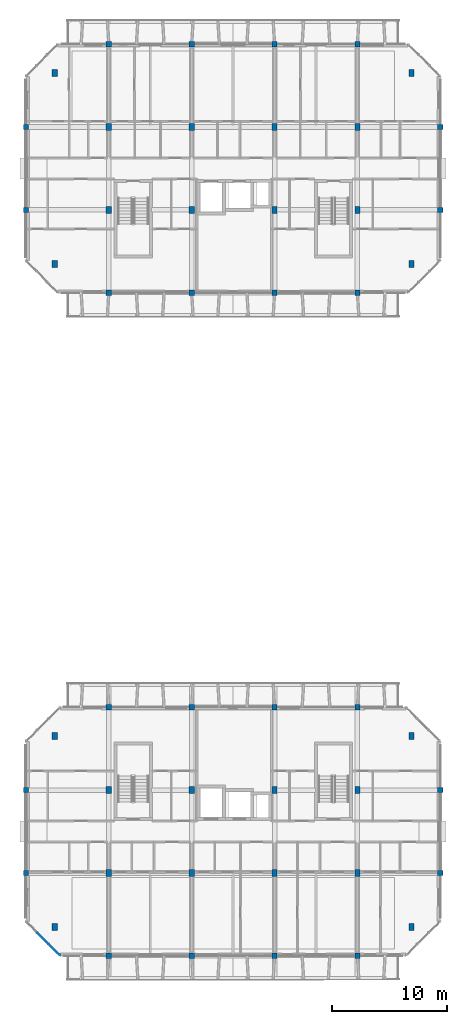
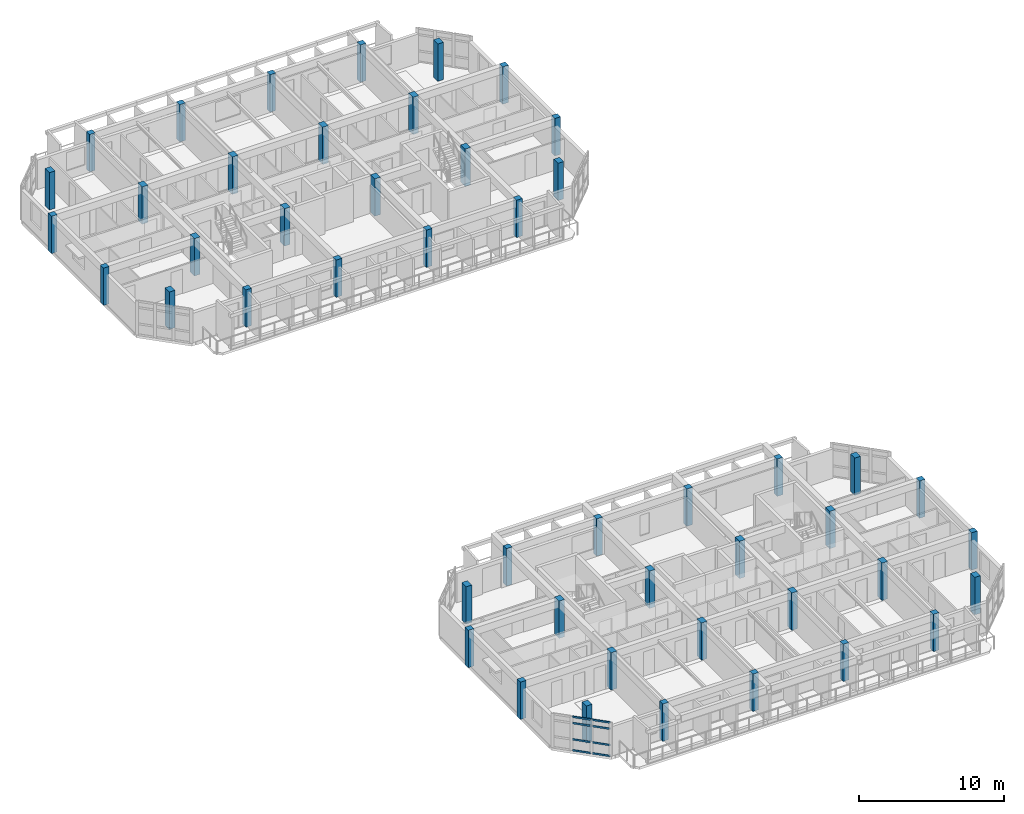
# One storey, part 1 of 22: 48 columns, 8 members, 1 element without a shape of its own.
"""IFC4 building model written with IfcOpenShell, lengths in metres."""

from ifc_helpers import new_model, si_unit, direction, frame, origin, origin_2d, place, context, subcontext, project, spatial, rectangle, extrude, material, layer, layer_set, material_profile, profile_set, type_object, element, aggregate, save


model = new_model("IFC4")

# Units and contexts
model_context = context("Model", 3, precision=1e-05, world=origin(), true_north=direction((0.0, 1.0)))
body_context = subcontext(model_context, "Body", "Model", "MODEL_VIEW")
ifc_project = project(units=[si_unit("LENGTHUNIT", "METRE"), si_unit("AREAUNIT", "SQUARE_METRE"), si_unit("VOLUMEUNIT", "CUBIC_METRE"), si_unit("PLANEANGLEUNIT", "RADIAN"), si_unit("MASSUNIT", "GRAM", prefix="KILO")], contexts=[model_context])

# Site, building, storey
site_placement = place(None, origin())
site = spatial("IfcSite", under=ifc_project, at=site_placement, CompositionType="ELEMENT")
building_placement = place(site_placement, origin())
building = spatial("IfcBuilding", under=site, at=building_placement, Name="Ochrevale Crest", CompositionType="ELEMENT")
storey_placement = place(building_placement, frame((0.0, 0.0, 40.199951171875)))
storey = spatial("IfcBuildingStorey", under=building, at=storey_placement, Name="L12", CompositionType="ELEMENT", Elevation=40.199951171875)

# Columns
ifc_material_1 = material(Name="Precast concrete C40/50", Category="concrete")
ifc_material_profile_1 = material_profile(ifc_material_1, rectangle(XDim=0.449951171875, YDim=0.449951171875, at=origin_2d()), Name="RC 450x450")
ifc_profile_set_1 = profile_set([ifc_material_profile_1], Name="Precast concrete C40/50")
column_type_1 = type_object("IfcColumnType", Name="COL-RC450x450", PredefinedType="COLUMN", material=ifc_profile_set_1)
for number, where, z_axis, x_axis, name in (
    (1, (129.60009765625, 21.60009765625, 0.0), (0.0, 0.0, 1.0), (1.0, 0.0, 0.0), "Block C L12 column (129.6,21.6)"),
    (2, (129.60009765625, 28.800048828125, 0.0), (0.0, 0.0, 1.0), (1.0, 0.0, 0.0), "Block C L12 column (129.6,28.8)"),
    (3, (136.800048828125, 14.39990234375, 0.0), (0.0, 0.0, 1.0), (1.0, 0.0, 0.0), "Block C L12 column (136.8,14.4)"),
    (4, (136.800048828125, 36.0, 0.0), (0.0, 0.0, 1.0), (1.0, 0.0, 0.0), "Block C L12 column (136.8,36.0)"),
    (5, (144.0, 14.39990234375, 0.0), (0.0, 0.0, 1.0), (1.0, 0.0, 0.0), "Block C L12 column (144.0,14.4)"),
    (6, (144.0, 36.0, 0.0), (0.0, 0.0, 1.0), (1.0, 0.0, 0.0), "Block C L12 column (144.0,36.0)"),
    (7, (151.199951171875, 14.39990234375, 0.0), (0.0, 0.0, 1.0), (1.0, 0.0, 0.0), "Block C L12 column (151.2,14.4)"),
    (8, (151.199951171875, 36.0, 0.0), (0.0, 0.0, 1.0), (1.0, 0.0, 0.0), "Block C L12 column (151.2,36.0)"),
    (9, (158.39990234375, 14.39990234375, 0.0), (0.0, 0.0, 1.0), (1.0, 0.0, 0.0), "Block C L12 column (158.4,14.4)"),
    (10, (158.39990234375, 36.0, 0.0), (0.0, 0.0, 1.0), (1.0, 0.0, 0.0), "Block C L12 column (158.4,36.0)"),
    (11, (165.60009765625, 21.60009765625, 0.0), (0.0, 0.0, 1.0), (1.0, 0.0, 0.0), "Block C L12 column (165.6,21.6)"),
    (12, (165.60009765625, 28.800048828125, 0.0), (0.0, 0.0, 1.0), (1.0, 0.0, 0.0), "Block C L12 column (165.6,28.8)"),
    (13, (129.60009765625, 79.199951171875, 0.0), (0.0, 0.0, 1.0), (1.0, 0.0, 0.0), "Block D L12 column (129.6,79.2)"),
    (14, (129.60009765625, 86.39990234375, 0.0), (0.0, 0.0, 1.0), (1.0, 0.0, 0.0), "Block D L12 column (129.6,86.4)"),
    (15, (136.800048828125, 72.0, 0.0), (0.0, 0.0, 1.0), (1.0, 0.0, 0.0), "Block D L12 column (136.8,72.0)"),
    (16, (136.800048828125, 93.60009765625, 0.0), (0.0, 0.0, 1.0), (1.0, 0.0, 0.0), "Block D L12 column (136.8,93.6)"),
    (17, (144.0, 72.0, 0.0), (0.0, 0.0, 1.0), (1.0, 0.0, 0.0), "Block D L12 column (144.0,72.0)"),
    (18, (144.0, 93.60009765625, 0.0), (0.0, 0.0, 1.0), (1.0, 0.0, 0.0), "Block D L12 column (144.0,93.6)"),
    (19, (151.199951171875, 72.0, 0.0), (0.0, 0.0, 1.0), (1.0, 0.0, 0.0), "Block D L12 column (151.2,72.0)"),
    (20, (151.199951171875, 93.60009765625, 0.0), (0.0, 0.0, 1.0), (1.0, 0.0, 0.0), "Block D L12 column (151.2,93.6)"),
    (21, (158.39990234375, 72.0, 0.0), (0.0, 0.0, 1.0), (1.0, 0.0, 0.0), "Block D L12 column (158.4,72.0)"),
    (22, (158.39990234375, 93.60009765625, 0.0), (0.0, 0.0, 1.0), (1.0, 0.0, 0.0), "Block D L12 column (158.4,93.6)"),
    (23, (165.60009765625, 79.199951171875, 0.0), (0.0, 0.0, 1.0), (1.0, 0.0, 0.0), "Block D L12 column (165.6,79.2)"),
    (24, (165.60009765625, 86.39990234375, 0.0), (0.0, 0.0, 1.0), (1.0, 0.0, 0.0), "Block D L12 column (165.6,86.4)"),
):
    element("IfcColumn", number, at=place(storey_placement, frame(where, z_axis=z_axis, x_axis=x_axis)), inside=storey, type_object=column_type_1, Name=name, PredefinedType="COLUMN", context=body_context, shape_type="SweptSolid", body=[
        extrude(rectangle(XDim=0.449951171875, YDim=0.449951171875, at=origin_2d()), origin(), (0.0, 0.0, 1.0), 3.150146484375),
    ])
ifc_material_2 = material(Name="Precast concrete C50/60", Category="concrete")
ifc_material_profile_2 = material_profile(ifc_material_2, rectangle(XDim=0.449951171875, YDim=0.60009765625, at=origin_2d()), Name="RC 450x600")
ifc_profile_set_2 = profile_set([ifc_material_profile_2], Name="Precast concrete C50/60")
column_type_2 = type_object("IfcColumnType", Name="COL-RC450x600", PredefinedType="COLUMN", material=ifc_profile_set_2)
for number, where, z_axis, x_axis, name in (
    (25, (132.10009765625, 16.89990234375, 0.0), (0.0, 0.0, 1.0), (1.0, 0.0, 0.0), "Block C L12 column (132.1,16.9)"),
    (26, (132.10009765625, 33.5, 0.0), (0.0, 0.0, 1.0), (1.0, 0.0, 0.0), "Block C L12 column (132.1,33.5)"),
    (27, (136.800048828125, 21.60009765625, 0.0), (0.0, 0.0, 1.0), (1.0, 0.0, 0.0), "Block C L12 column (136.8,21.6)"),
    (28, (136.800048828125, 28.800048828125, 0.0), (0.0, 0.0, 1.0), (1.0, 0.0, 0.0), "Block C L12 column (136.8,28.8)"),
    (29, (144.0, 21.60009765625, 0.0), (0.0, 0.0, 1.0), (1.0, 0.0, 0.0), "Block C L12 column (144.0,21.6)"),
    (30, (144.0, 28.800048828125, 0.0), (0.0, 0.0, 1.0), (1.0, 0.0, 0.0), "Block C L12 column (144.0,28.8)"),
    (31, (151.199951171875, 21.60009765625, 0.0), (0.0, 0.0, 1.0), (1.0, 0.0, 0.0), "Block C L12 column (151.2,21.6)"),
    (32, (151.199951171875, 28.800048828125, 0.0), (0.0, 0.0, 1.0), (1.0, 0.0, 0.0), "Block C L12 column (151.2,28.8)"),
    (33, (158.39990234375, 21.60009765625, 0.0), (0.0, 0.0, 1.0), (1.0, 0.0, 0.0), "Block C L12 column (158.4,21.6)"),
    (34, (158.39990234375, 28.800048828125, 0.0), (0.0, 0.0, 1.0), (1.0, 0.0, 0.0), "Block C L12 column (158.4,28.8)"),
    (35, (163.10009765625, 16.89990234375, 0.0), (0.0, 0.0, 1.0), (1.0, 0.0, 0.0), "Block C L12 column (163.1,16.9)"),
    (36, (163.10009765625, 33.5, 0.0), (0.0, 0.0, 1.0), (1.0, 0.0, 0.0), "Block C L12 column (163.1,33.5)"),
    (37, (132.10009765625, 74.5, 0.0), (0.0, 0.0, 1.0), (1.0, 0.0, 0.0), "Block D L12 column (132.1,74.5)"),
    (38, (132.10009765625, 91.10009765625, 0.0), (0.0, 0.0, 1.0), (1.0, 0.0, 0.0), "Block D L12 column (132.1,91.1)"),
    (39, (136.800048828125, 79.199951171875, 0.0), (0.0, 0.0, 1.0), (1.0, 0.0, 0.0), "Block D L12 column (136.8,79.2)"),
    (40, (136.800048828125, 86.39990234375, 0.0), (0.0, 0.0, 1.0), (1.0, 0.0, 0.0), "Block D L12 column (136.8,86.4)"),
    (41, (144.0, 79.199951171875, 0.0), (0.0, 0.0, 1.0), (1.0, 0.0, 0.0), "Block D L12 column (144.0,79.2)"),
    (42, (144.0, 86.39990234375, 0.0), (0.0, 0.0, 1.0), (1.0, 0.0, 0.0), "Block D L12 column (144.0,86.4)"),
    (43, (151.199951171875, 79.199951171875, 0.0), (0.0, 0.0, 1.0), (1.0, 0.0, 0.0), "Block D L12 column (151.2,79.2)"),
    (44, (151.199951171875, 86.39990234375, 0.0), (0.0, 0.0, 1.0), (1.0, 0.0, 0.0), "Block D L12 column (151.2,86.4)"),
    (45, (158.39990234375, 79.199951171875, 0.0), (0.0, 0.0, 1.0), (1.0, 0.0, 0.0), "Block D L12 column (158.4,79.2)"),
    (46, (158.39990234375, 86.39990234375, 0.0), (0.0, 0.0, 1.0), (1.0, 0.0, 0.0), "Block D L12 column (158.4,86.4)"),
    (47, (163.10009765625, 74.5, 0.0), (0.0, 0.0, 1.0), (1.0, 0.0, 0.0), "Block D L12 column (163.1,74.5)"),
    (48, (163.10009765625, 91.10009765625, 0.0), (0.0, 0.0, 1.0), (1.0, 0.0, 0.0), "Block D L12 column (163.1,91.1)"),
):
    element("IfcColumn", number, at=place(storey_placement, frame(where, z_axis=z_axis, x_axis=x_axis)), inside=storey, type_object=column_type_2, Name=name, PredefinedType="COLUMN", context=body_context, shape_type="SweptSolid", body=[
        extrude(rectangle(XDim=0.449951171875, YDim=0.60009765625, at=origin_2d()), origin(), (0.0, 0.0, 1.0), 3.150146484375),
    ])

# Curtain wall, members
ifc_material_3 = material(Name="Anodised aluminium 6063-T5", Category="aluminium")
ifc_layer = layer(ifc_material_3, 0.14990234375)
ifc_layer_set = layer_set([ifc_layer], Name="Anodised aluminium 6063-T5")
curtain_wall_type = type_object("IfcCurtainWallType", Name="CW-WG-240x285", PredefinedType="NOTDEFINED", material=ifc_layer_set)
curtain_wall_placement = place(storey_placement, origin())
curtain_wall = element("IfcCurtainWall", 49, at=curtain_wall_placement, inside=storey, type_object=curtain_wall_type, Name="Block C L12 chamfered corner wintergarden curtain wall 8", PredefinedType="NOTDEFINED")
ifc_material_profile_3 = material_profile(ifc_material_3, rectangle(XDim=0.06005859375, YDim=0.14990234375, at=origin_2d()), Name="ALU 60x150")
ifc_profile_set_3 = profile_set([ifc_material_profile_3], Name="Anodised aluminium 6063-T5")
member_type = type_object("IfcMemberType", Name="CW-TRN-60x150", PredefinedType="USERDEFINED", material=ifc_profile_set_3)
member_1_placement = place(storey_placement, frame((130.62646484375, 16.37353515625, 0.030029296875), z_axis=(0.707106781187, -0.707106781187, 0.0), x_axis=(0.707106781187, 0.707106781187, 0.0)))
member_1 = element("IfcMember", 50, at=member_1_placement, type_object=member_type, Name="CW15 transom 2.1", ObjectType="TRANSOM", PredefinedType="USERDEFINED", context=body_context, shape_type="SweptSolid", body=[
    extrude(rectangle(XDim=0.06005859375, YDim=0.14990234375, at=origin_2d()), origin(), (0.0, 0.0, 1.0), 1.33935546875),
])
member_2_placement = place(storey_placement, frame((130.62646484375, 16.37353515625, 0.949951171875), z_axis=(0.707106781187, -0.707106781187, 0.0), x_axis=(0.707106781187, 0.707106781187, 0.0)))
member_2 = element("IfcMember", 51, at=member_2_placement, type_object=member_type, Name="CW15 transom 2.2", ObjectType="TRANSOM", PredefinedType="USERDEFINED", context=body_context, shape_type="SweptSolid", body=[
    extrude(rectangle(XDim=0.06005859375, YDim=0.14990234375, at=origin_2d()), origin(), (0.0, 0.0, 1.0), 1.33935546875),
])
member_3_placement = place(storey_placement, frame((130.62646484375, 16.37353515625, 2.324951171875), z_axis=(0.707106781187, -0.707106781187, 0.0), x_axis=(0.707106781187, 0.707106781187, 0.0)))
member_3 = element("IfcMember", 52, at=member_3_placement, type_object=member_type, Name="CW15 transom 2.3", ObjectType="TRANSOM", PredefinedType="USERDEFINED", context=body_context, shape_type="SweptSolid", body=[
    extrude(rectangle(XDim=0.06005859375, YDim=0.14990234375, at=origin_2d()), origin(), (0.0, 0.0, 1.0), 1.33935546875),
])
member_4_placement = place(storey_placement, frame((130.62646484375, 16.37353515625, 2.844970703125), z_axis=(0.707106781187, -0.707106781187, 0.0), x_axis=(0.707106781187, 0.707106781187, 0.0)))
member_4 = element("IfcMember", 53, at=member_4_placement, type_object=member_type, Name="CW15 transom 2.4", ObjectType="TRANSOM", PredefinedType="USERDEFINED", context=body_context, shape_type="SweptSolid", body=[
    extrude(rectangle(XDim=0.06005859375, YDim=0.14990234375, at=origin_2d()), origin(), (0.0, 0.0, 1.0), 1.33935546875),
])
member_5_placement = place(storey_placement, frame((131.62646484375, 15.37353515625, 0.030029296875), z_axis=(0.707106781187, -0.707106781187, 0.0), x_axis=(0.707106781187, 0.707106781187, 0.0)))
member_5 = element("IfcMember", 54, at=member_5_placement, type_object=member_type, Name="CW15 transom 3.1", ObjectType="TRANSOM", PredefinedType="USERDEFINED", context=body_context, shape_type="SweptSolid", body=[
    extrude(rectangle(XDim=0.06005859375, YDim=0.14990234375, at=origin_2d()), origin(), (0.0, 0.0, 1.0), 1.3017578125),
])
member_6_placement = place(storey_placement, frame((131.62646484375, 15.37353515625, 0.949951171875), z_axis=(0.707106781187, -0.707106781187, 0.0), x_axis=(0.707106781187, 0.707106781187, 0.0)))
member_6 = element("IfcMember", 55, at=member_6_placement, type_object=member_type, Name="CW15 transom 3.2", ObjectType="TRANSOM", PredefinedType="USERDEFINED", context=body_context, shape_type="SweptSolid", body=[
    extrude(rectangle(XDim=0.06005859375, YDim=0.14990234375, at=origin_2d()), origin(), (0.0, 0.0, 1.0), 1.3017578125),
])
member_7_placement = place(storey_placement, frame((131.62646484375, 15.37353515625, 2.324951171875), z_axis=(0.707106781187, -0.707106781187, 0.0), x_axis=(0.707106781187, 0.707106781187, 0.0)))
member_7 = element("IfcMember", 56, at=member_7_placement, type_object=member_type, Name="CW15 transom 3.3", ObjectType="TRANSOM", PredefinedType="USERDEFINED", context=body_context, shape_type="SweptSolid", body=[
    extrude(rectangle(XDim=0.06005859375, YDim=0.14990234375, at=origin_2d()), origin(), (0.0, 0.0, 1.0), 1.3017578125),
])
member_8_placement = place(storey_placement, frame((131.62646484375, 15.37353515625, 2.844970703125), z_axis=(0.707106781187, -0.707106781187, 0.0), x_axis=(0.707106781187, 0.707106781187, 0.0)))
member_8 = element("IfcMember", 57, at=member_8_placement, type_object=member_type, Name="CW15 transom 3.4", ObjectType="TRANSOM", PredefinedType="USERDEFINED", context=body_context, shape_type="SweptSolid", body=[
    extrude(rectangle(XDim=0.06005859375, YDim=0.14990234375, at=origin_2d()), origin(), (0.0, 0.0, 1.0), 1.3017578125),
])
aggregate(curtain_wall, [member_1, member_2, member_3, member_4, member_5, member_6, member_7, member_8])

save(model, "model.ifc")
